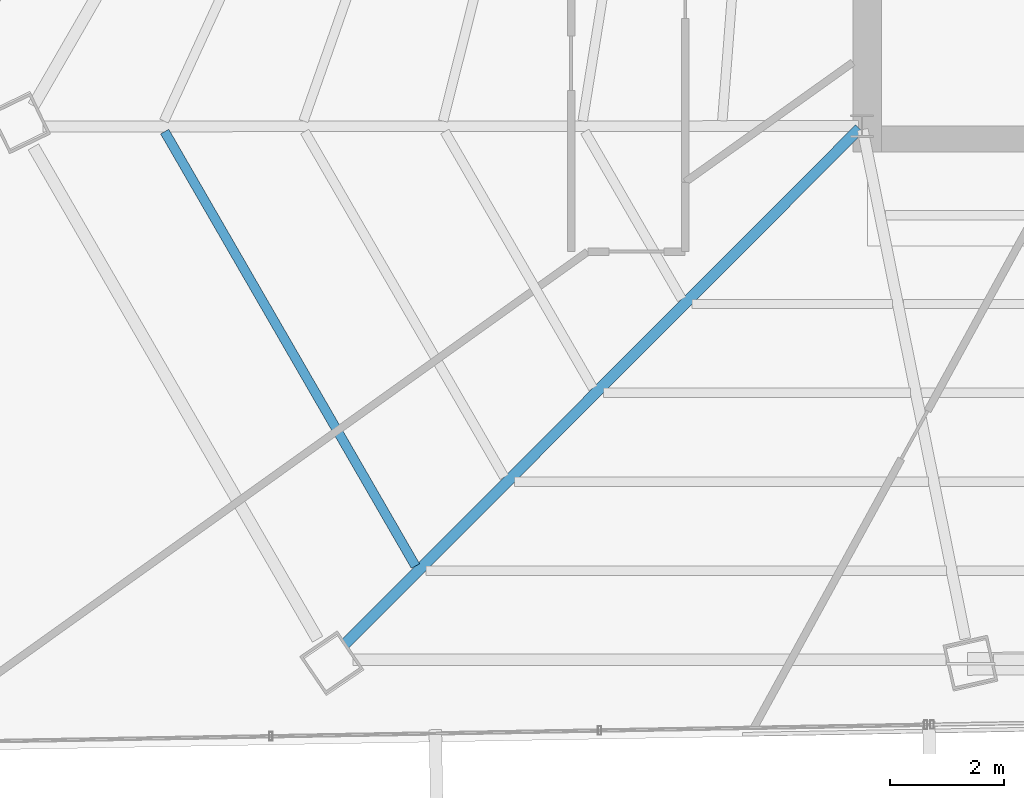
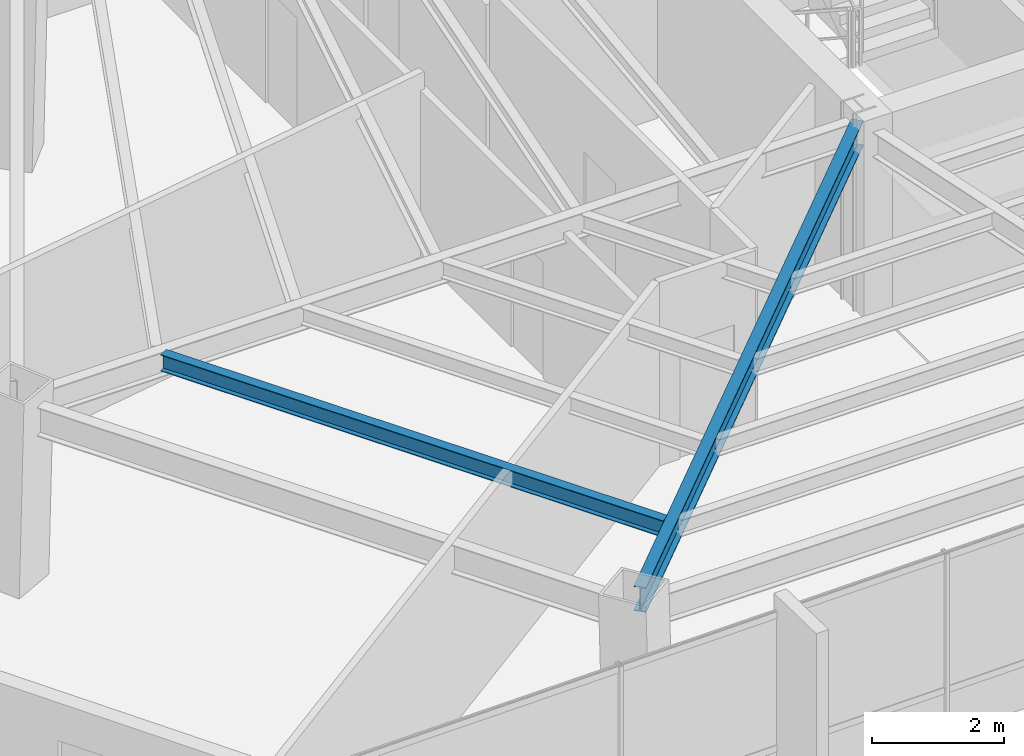
# One storey, part 7 of 42: 2 beams.
"""IFC4 building model written with IfcOpenShell, lengths in metres."""

from ifc_helpers import new_model, si_unit, direction, frame, origin, origin_2d, place, context, subcontext, project, spatial, i_section, extrude, source, transform, mapped, material, material_profile, profile_set, type_object, type_shapes, element, save


model = new_model("IFC4")

# Units and contexts
model_context = context("Model", 3, precision=1e-05, world=origin(), true_north=direction((0.0, 1.0)))
body_context = subcontext(model_context, "Body", "Model", "MODEL_VIEW")
ifc_project = project(units=[si_unit("LENGTHUNIT", "METRE"), si_unit("AREAUNIT", "SQUARE_METRE"), si_unit("VOLUMEUNIT", "CUBIC_METRE"), si_unit("PLANEANGLEUNIT", "RADIAN"), si_unit("MASSUNIT", "GRAM", prefix="KILO")], contexts=[model_context])

# Site, building, storey
site_placement = place(None, origin())
site = spatial("IfcSite", under=ifc_project, at=site_placement, CompositionType="ELEMENT")
building_placement = place(site_placement, origin())
building = spatial("IfcBuilding", under=site, at=building_placement, Name="Caelisora Broadcast Tower", CompositionType="ELEMENT")
storey_placement = place(building_placement, frame((0.0, 0.0, 187.699951171875)))
storey = spatial("IfcBuildingStorey", under=building, at=storey_placement, Name="L49", CompositionType="ELEMENT", Elevation=187.699951171875)

# Beams
ifc_material = material(Name="Steel Grade 350 (AS/NZS 3679.1)", Category="steel")
ifc_material_profile_1 = material_profile(ifc_material, i_section(OverallWidth=0.19091796875, OverallDepth=0.46044921875, WebThickness=0.010009765625, FlangeThickness=0.01611328125, at=origin_2d()), Name="Steel Grade 350 (AS/NZS 3679.1)")
ifc_profile_set_1 = profile_set([ifc_material_profile_1], Name="Steel Grade 350 (AS/NZS 3679.1)")
beam_type_1 = type_object("IfcBeamType", Name="PG06", PredefinedType="BEAM", material=ifc_profile_set_1)
shared_shape_1 = source(origin(), body_context, "Body", "SweptSolid", [
    extrude(i_section(OverallWidth=0.19091796875, OverallDepth=0.46044921875, WebThickness=0.010009765625, FlangeThickness=0.01611328125, at=origin_2d()), origin(), (0.0, 0.0, 1.0), 12.78271484375),
])
type_shapes(beam_type_1, [shared_shape_1])
beam_1_placement = place(storey_placement, frame((30.45751953125, 17.357421875, 3.169921875), z_axis=(-0.706399760924, -0.707813095221, 0.0), x_axis=(0.707813095221, -0.706399760924, 0.0)))
element("IfcBeam", 1, at=beam_1_placement, inside=storey, type_object=beam_type_1, Name="L49 beam PG06", PredefinedType="BEAM", context=body_context, shape_type="MappedRepresentation", body=[
    mapped(shared_shape_1, transform((0.0, 0.0, 0.0), scale=1.0)),
])
ifc_material_profile_2 = material_profile(ifc_material, i_section(OverallWidth=0.166015625, OverallDepth=0.30712890625, WebThickness=0.006591796875, FlangeThickness=0.01171875, at=origin_2d()), Name="Steel Grade 350 (AS/NZS 3679.1)")
ifc_profile_set_2 = profile_set([ifc_material_profile_2], Name="Steel Grade 350 (AS/NZS 3679.1)")
beam_type_2 = type_object("IfcBeamType", Name="SB03", PredefinedType="JOIST", material=ifc_profile_set_2)
shared_shape_2 = source(origin(), body_context, "Body", "SweptSolid", [
    extrude(i_section(OverallWidth=0.166015625, OverallDepth=0.30712890625, WebThickness=0.006591796875, FlangeThickness=0.01171875, at=origin_2d()), origin(), (0.0, 0.0, 1.0), 8.796630859375),
])
type_shapes(beam_type_2, [shared_shape_2])
beam_2_placement = place(storey_placement, frame((18.272216796875, 17.30419921875, 3.246337890625), z_axis=(0.500007539231, -0.866021050964, 0.0), x_axis=(0.866021050964, 0.500007539231, 0.0)))
element("IfcBeam", 2, at=beam_2_placement, inside=storey, type_object=beam_type_2, Name="L49 beam SB03", PredefinedType="JOIST", context=body_context, shape_type="MappedRepresentation", body=[
    mapped(shared_shape_2, transform((0.0, 0.0, 0.0), scale=1.0)),
])

save(model, "model.ifc")
